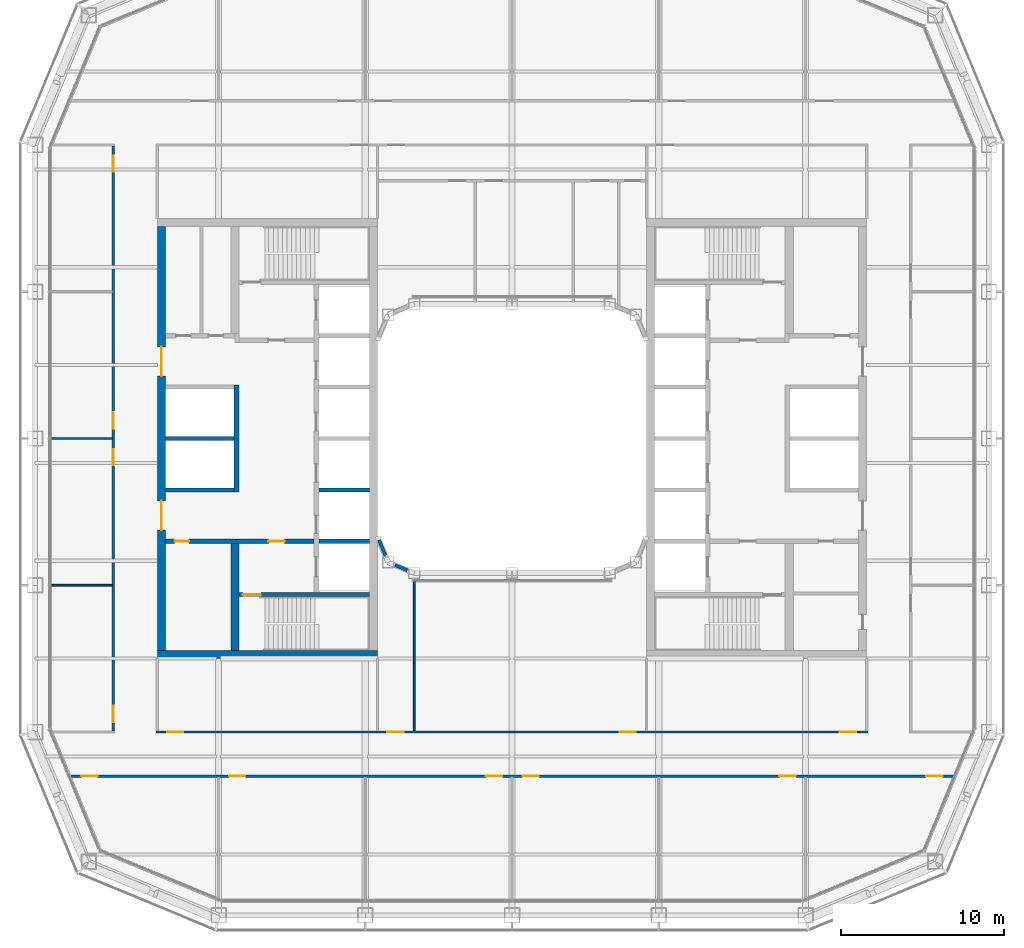
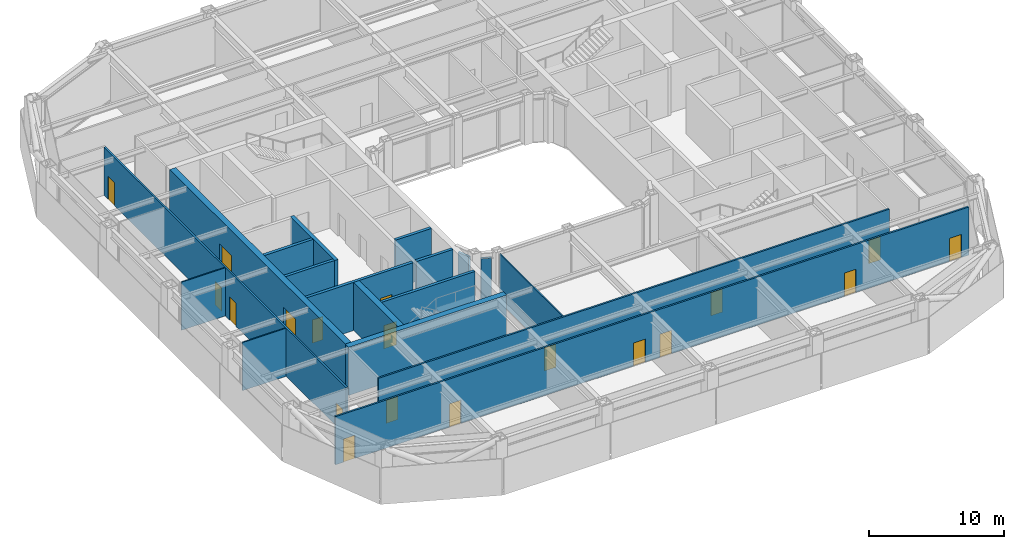
# One storey, part 11 of 21: 19 doors, 18 walls, 19 openings.
"""IFC4 building model written with IfcOpenShell, lengths in metres."""

from ifc_helpers import new_model, si_unit, direction, frame, frame_2d, origin, place, context, subcontext, project, spatial, rectangle, extrude, material, layer, layer_set, type_object, element, fill, save


model = new_model("IFC4")

# Units and contexts
model_context = context("Model", 3, precision=1e-05, world=origin(), true_north=direction((0.0, 1.0)))
body_context = subcontext(model_context, "Body", "Model", "MODEL_VIEW")
ifc_project = project(units=[si_unit("LENGTHUNIT", "METRE"), si_unit("AREAUNIT", "SQUARE_METRE"), si_unit("VOLUMEUNIT", "CUBIC_METRE"), si_unit("PLANEANGLEUNIT", "RADIAN"), si_unit("MASSUNIT", "GRAM", prefix="KILO")], contexts=[model_context])

# Site, building, storey
site_placement = place(None, origin())
site = spatial("IfcSite", under=ifc_project, at=site_placement, CompositionType="ELEMENT")
building_placement = place(site_placement, origin())
building = spatial("IfcBuilding", under=site, at=building_placement, Name="Siwar Civic Tower", CompositionType="ELEMENT")
storey_placement = place(building_placement, frame((0.0, 0.0, 122.699951171875)))
storey = spatial("IfcBuildingStorey", under=building, at=storey_placement, Name="L26", CompositionType="ELEMENT", Elevation=122.699951171875)

# Wall, openings, doors
ifc_material_1 = material(Name="Concrete C60/75", Category="concrete")
ifc_layer_1 = layer(ifc_material_1, 0.25)
ifc_layer_set_1 = layer_set([ifc_layer_1], Name="Concrete C60/75")
wall_type_1 = type_object("IfcWallType", Name="CORE-WALL-RC250", PredefinedType="SHEAR", material=ifc_layer_set_1)
wall_1_placement = place(storey_placement, frame((-12.14990234375, -6.300048828125, 0.0), z_axis=(0.0, 0.0, 1.0), x_axis=(-1.0, 0.0, 0.0)))
wall_1 = element("IfcWall", 1, at=wall_1_placement, inside=storey, type_object=wall_type_1, Name="Core wall W", PredefinedType="SHEAR", context=body_context, shape_type="SweptSolid", body=[
    extrude(rectangle(XDim=9.10009765625, YDim=0.25, at=frame_2d((4.550048828125, 0.0))), origin(), (0.0, 0.0, 1.0), 4.35009765625),
])
opening_1_placement = place(wall_1_placement, frame((1.800048828125, 0.0, 0.0)))
opening_1 = element("IfcOpeningElement", 2, at=opening_1_placement, cuts=wall_1, Name="Opening L26-CW02", PredefinedType="OPENING", context=body_context, shape_type="SweptSolid", body=[
    extrude(rectangle(XDim=1.0, YDim=2.10009765625, at=frame_2d((0.5, 1.050048828125))), frame((0.0, 0.135009765625, 0.0), z_axis=(0.0, -1.0, 0.0), x_axis=(1.0, 0.0, 0.0)), (0.0, 0.0, 1.0), 0.27001953125),
])
opening_2_placement = place(wall_1_placement, frame((7.64990234375, 0.0, 0.0)))
opening_2 = element("IfcOpeningElement", 3, at=opening_2_placement, cuts=wall_1, Name="Opening L26-CW15", PredefinedType="OPENING", context=body_context, shape_type="SweptSolid", body=[
    extrude(rectangle(XDim=0.89990234375, YDim=2.10009765625, at=frame_2d((0.449951171875, 1.050048828125))), frame((0.0, 0.135009765625, 0.0), z_axis=(0.0, -1.0, 0.0), x_axis=(1.0, 0.0, 0.0)), (0.0, 0.0, 1.0), 0.27001953125),
])
ifc_material_2 = material(Name="Steel door leaf", Category="steel")
door_type_1 = type_object("IfcDoorType", Name="CORE-DOOR-FD30S", OperationType="SINGLE_SWING_LEFT", PredefinedType="DOOR", material=ifc_material_2)
door_1_placement = place(opening_1_placement, origin())
door_1 = element("IfcDoor", 4, at=door_1_placement, inside=storey, type_object=door_type_1, Name="Service lobby door L26-CW02", OperationType="SINGLE_SWING_RIGHT", OverallHeight=2.10009765625, OverallWidth=1.0, PredefinedType="DOOR", context=body_context, shape_type="SweptSolid", body=[
    extrude(rectangle(XDim=1.0, YDim=2.10009765625, at=frame_2d((0.5, 1.050048828125))), frame((0.0, 0.02490234375, 0.0), z_axis=(0.0, -1.0, 0.0), x_axis=(1.0, 0.0, 0.0)), (0.0, 0.0, 1.0), 0.050048828125),
])
fill(opening_1, door_1)
ifc_material_3 = material(Name="Steel door leaf", Category="steel")
door_type_2 = type_object("IfcDoorType", Name="CORE-DOOR-ROOM", OperationType="SINGLE_SWING_LEFT", PredefinedType="DOOR", material=ifc_material_3)
door_2_placement = place(opening_2_placement, origin())
door_2 = element("IfcDoor", 5, at=door_2_placement, inside=storey, type_object=door_type_2, Name="Core room door L26-CW15", OperationType="SINGLE_SWING_LEFT", OverallHeight=2.10009765625, OverallWidth=0.89990234375, PredefinedType="DOOR", context=body_context, shape_type="SweptSolid", body=[
    extrude(rectangle(XDim=0.89990234375, YDim=2.10009765625, at=frame_2d((0.449951171875, 1.050048828125))), frame((0.0, 0.02490234375, 0.0), z_axis=(0.0, -1.0, 0.0), x_axis=(1.0, 0.0, 0.0)), (0.0, 0.0, 1.0), 0.050048828125),
])
fill(opening_2, door_2)

# Walls
for number, where, z_axis, x_axis, name in (
    (6, (-17.050048828125, 0.0, 0.0), (0.0, 0.0, 1.0), (-1.0, 0.0, 0.0), "Core wall W"),
    (7, (-17.050048828125, -3.14990234375, 0.0), (0.0, 0.0, 1.0), (-1.0, 0.0, 0.0), "Core wall W"),
):
    element("IfcWall", number, at=place(storey_placement, frame(where, z_axis=z_axis, x_axis=x_axis)), inside=storey, type_object=wall_type_1, Name=name, PredefinedType="SHEAR", context=body_context, shape_type="SweptSolid", body=[
        extrude(rectangle(XDim=4.199951171875, YDim=0.25, at=frame_2d((2.10009765625, 0.0))), origin(), (0.0, 0.0, 1.0), 4.35009765625),
    ])
for number, where, z_axis, x_axis, name in (
    (8, (-8.75, -3.14990234375, 0.0), (0.0, 0.0, 1.0), (-1.0, 0.0, 0.0), "Core wall W"),
    (9, (-8.75, -6.300048828125, 0.0), (0.0, 0.0, 1.0), (-1.0, 0.0, 0.0), "Core wall W"),
):
    element("IfcWall", number, at=place(storey_placement, frame(where, z_axis=z_axis, x_axis=x_axis)), inside=storey, type_object=wall_type_1, Name=name, PredefinedType="SHEAR", context=body_context, shape_type="SweptSolid", body=[
        extrude(rectangle(XDim=3.10009765625, YDim=0.25, at=frame_2d((1.550048828125, 0.0))), origin(), (0.0, 0.0, 1.0), 4.35009765625),
    ])

# Wall, opening, door
wall_2_placement = place(storey_placement, frame((-8.75, -9.574951171875, 0.0), z_axis=(0.0, 0.0, 1.0), x_axis=(-1.0, 0.0, 0.0)))
wall_2 = element("IfcWall", 10, at=wall_2_placement, inside=storey, type_object=wall_type_1, Name="Core wall W", PredefinedType="SHEAR", context=body_context, shape_type="SweptSolid", body=[
    extrude(rectangle(XDim=8.0, YDim=0.25, at=frame_2d((4.0, 0.0))), origin(), (0.0, 0.0, 1.0), 4.35009765625),
])
opening_3_placement = place(wall_2_placement, frame((6.64990234375, 0.0, 0.0)))
opening_3 = element("IfcOpeningElement", 11, at=opening_3_placement, cuts=wall_2, Name="Opening L26-CW04", PredefinedType="OPENING", context=body_context, shape_type="SweptSolid", body=[
    extrude(rectangle(XDim=1.10009765625, YDim=2.10009765625, at=frame_2d((0.550048828125, 1.050048828125))), frame((0.0, 0.135009765625, 0.0), z_axis=(0.0, -1.0, 0.0), x_axis=(1.0, 0.0, 0.0)), (0.0, 0.0, 1.0), 0.27001953125),
])
ifc_material_4 = material(Name="Steel door leaf", Category="steel")
door_type_3 = type_object("IfcDoorType", Name="CORE-DOOR-FD60S", OperationType="SINGLE_SWING_LEFT", PredefinedType="DOOR", material=ifc_material_4)
door_3_placement = place(opening_3_placement, origin())
door_3 = element("IfcDoor", 12, at=door_3_placement, inside=storey, type_object=door_type_3, Name="Stair door L26-CW04", OperationType="SINGLE_SWING_LEFT", OverallHeight=2.10009765625, OverallWidth=1.10009765625, PredefinedType="DOOR", context=body_context, shape_type="SweptSolid", body=[
    extrude(rectangle(XDim=1.10009765625, YDim=2.10009765625, at=frame_2d((0.550048828125, 1.050048828125))), frame((0.0, 0.02490234375, 0.0), z_axis=(0.0, -1.0, 0.0), x_axis=(1.0, 0.0, 0.0)), (0.0, 0.0, 1.0), 0.050048828125),
])
fill(opening_3, door_3)

# Wall
ifc_material_5 = material(Name="Concrete C60/75", Category="concrete")
ifc_layer_2 = layer(ifc_material_5, 0.300048828125)
ifc_layer_set_2 = layer_set([ifc_layer_2], Name="Concrete C60/75")
wall_type_2 = type_object("IfcWallType", Name="CORE-WALL-RC300", PredefinedType="SHEAR", material=ifc_layer_set_2)
wall_3_placement = place(storey_placement, frame((-16.89990234375, -3.27490234375, 0.0), z_axis=(0.0, 0.0, 1.0), x_axis=(0.0, 1.0, 0.0)))
element("IfcWall", 13, at=wall_3_placement, inside=storey, type_object=wall_type_2, Name="Core wall W", PredefinedType="SHEAR", context=body_context, shape_type="SweptSolid", body=[
    extrude(rectangle(XDim=6.5498046875, YDim=0.300048828125, at=frame_2d((3.27490234375, 0.0))), origin(), (0.0, 0.0, 1.0), 4.35009765625),
])

# Wall, openings, doors
ifc_material_6 = material(Name="Concrete C60/75", Category="concrete")
ifc_layer_3 = layer(ifc_material_6, 0.5)
ifc_layer_set_3 = layer_set([ifc_layer_3], Name="Concrete C60/75")
wall_type_3 = type_object("IfcWallType", Name="CORE-WALL-RC500", PredefinedType="SHEAR", material=ifc_layer_set_3)
wall_4_placement = place(storey_placement, frame((-21.5, -13.0, 0.0), z_axis=(0.0, 0.0, 1.0), x_axis=(0.0, 1.0, 0.0)))
wall_4 = element("IfcWall", 14, at=wall_4_placement, inside=storey, type_object=wall_type_3, Name="Core wall W", PredefinedType="SHEAR", context=body_context, shape_type="SweptSolid", body=[
    extrude(rectangle(XDim=26.0, YDim=0.5, at=frame_2d((13.0, 0.0))), origin(), (0.0, 0.0, 1.0), 4.35009765625),
])
opening_4_placement = place(wall_4_placement, frame((16.824951171875, 0.0, 0.0)))
opening_4 = element("IfcOpeningElement", 15, at=opening_4_placement, cuts=wall_4, Name="Opening L26-CW05", PredefinedType="OPENING", context=body_context, shape_type="SweptSolid", body=[
    extrude(rectangle(XDim=1.800048828125, YDim=2.10009765625, at=frame_2d((0.89990234375, 1.050048828125))), frame((0.0, 0.260009765625, 0.0), z_axis=(0.0, -1.0, 0.0), x_axis=(1.0, 0.0, 0.0)), (0.0, 0.0, 1.0), 0.52001953125),
])
opening_5_placement = place(wall_4_placement, frame((7.375, 0.0, 0.0)))
opening_5 = element("IfcOpeningElement", 16, at=opening_5_placement, cuts=wall_4, Name="Opening L26-CW06", PredefinedType="OPENING", context=body_context, shape_type="SweptSolid", body=[
    extrude(rectangle(XDim=1.800048828125, YDim=2.10009765625, at=frame_2d((0.89990234375, 1.050048828125))), frame((0.0, 0.260009765625, 0.0), z_axis=(0.0, -1.0, 0.0), x_axis=(1.0, 0.0, 0.0)), (0.0, 0.0, 1.0), 0.52001953125),
])
ifc_material_7 = material(Name="Steel door leaf", Category="steel")
door_type_4 = type_object("IfcDoorType", Name="CORE-DOOR-PORT", OperationType="DOUBLE_DOOR_DOUBLE_SWING", PredefinedType="DOOR", material=ifc_material_7)
door_4_placement = place(opening_4_placement, origin())
door_4 = element("IfcDoor", 17, at=door_4_placement, inside=storey, type_object=door_type_4, Name="Core entrance door L26-CW05", OperationType="DOUBLE_DOOR_DOUBLE_SWING", OverallHeight=2.10009765625, OverallWidth=1.800048828125, PredefinedType="DOOR", context=body_context, shape_type="SweptSolid", body=[
    extrude(rectangle(XDim=1.800048828125, YDim=2.10009765625, at=frame_2d((0.89990234375, 1.050048828125))), frame((0.0, 0.02490234375, 0.0), z_axis=(0.0, -1.0, 0.0), x_axis=(1.0, 0.0, 0.0)), (0.0, 0.0, 1.0), 0.050048828125),
])
fill(opening_4, door_4)
door_5_placement = place(opening_5_placement, origin())
door_5 = element("IfcDoor", 18, at=door_5_placement, inside=storey, type_object=door_type_4, Name="Core entrance door L26-CW06", OperationType="DOUBLE_DOOR_DOUBLE_SWING", OverallHeight=2.10009765625, OverallWidth=1.800048828125, PredefinedType="DOOR", context=body_context, shape_type="SweptSolid", body=[
    extrude(rectangle(XDim=1.800048828125, YDim=2.10009765625, at=frame_2d((0.89990234375, 1.050048828125))), frame((0.0, 0.02490234375, 0.0), z_axis=(0.0, -1.0, 0.0), x_axis=(1.0, 0.0, 0.0)), (0.0, 0.0, 1.0), 0.050048828125),
])
fill(opening_5, door_5)

# Walls
wall_5_placement = place(storey_placement, frame((-17.0, -13.0, 0.0), z_axis=(0.0, 0.0, 1.0), x_axis=(0.0, 1.0, 0.0)))
element("IfcWall", 19, at=wall_5_placement, inside=storey, type_object=wall_type_3, Name="Core wall W", PredefinedType="SHEAR", context=body_context, shape_type="SweptSolid", body=[
    extrude(rectangle(XDim=6.574951171875, YDim=0.5, at=frame_2d((3.28759765625, 0.0))), origin(), (0.0, 0.0, 1.0), 4.35009765625),
])
wall_6_placement = place(storey_placement, frame((-8.25, -13.25, 0.0), z_axis=(0.0, 0.0, 1.0), x_axis=(-1.0, 0.0, 0.0)))
element("IfcWall", 20, at=wall_6_placement, inside=storey, type_object=wall_type_3, Name="Core wall W", PredefinedType="SHEAR", context=body_context, shape_type="SweptSolid", body=[
    extrude(rectangle(XDim=13.5, YDim=0.5, at=frame_2d((6.75, 0.0))), origin(), (0.0, 0.0, 1.0), 4.35009765625),
])

# Wall, openings, doors
ifc_material_8 = material(Name="Gypsum board on steel studs", Category="steel")
ifc_layer_4 = layer(ifc_material_8, 0.14990234375)
ifc_layer_set_4 = layer_set([ifc_layer_4], Name="Gypsum board on steel studs")
wall_type_4 = type_object("IfcWallType", Name="CORRIDOR PARTITION 150 EI 30", PredefinedType="PARTITIONING", material=ifc_layer_set_4)
wall_7_placement = place(storey_placement, frame((-27.06005859375, -20.699951171875, 0.0), z_axis=(0.0, 0.0, 1.0), x_axis=(1.0, 0.0, 0.0)))
wall_7 = element("IfcWall", 21, at=wall_7_placement, inside=storey, type_object=wall_type_4, Name="L26/wall/P01", PredefinedType="PARTITIONING", context=body_context, shape_type="SweptSolid", body=[
    extrude(rectangle(XDim=54.1201171875, YDim=0.14990234375, at=frame_2d((27.06005859375, 0.0))), origin(), (0.0, 0.0, 1.0), 4.35009765625),
])
opening_6_placement = place(wall_7_placement, frame((9.7099609375, 0.0, 0.0)))
opening_6 = element("IfcOpeningElement", 22, at=opening_6_placement, cuts=wall_7, Name="Opening D1", PredefinedType="OPENING", context=body_context, shape_type="SweptSolid", body=[
    extrude(rectangle(XDim=1.0, YDim=2.10009765625, at=frame_2d((0.5, 1.050048828125))), frame((0.0, 0.0849609375, 0.0), z_axis=(0.0, -1.0, 0.0), x_axis=(1.0, 0.0, 0.0)), (0.0, 0.0, 1.0), 0.169921875),
])
opening_7_placement = place(wall_7_placement, frame((25.4599609375, 0.0, 0.0)))
opening_7 = element("IfcOpeningElement", 23, at=opening_7_placement, cuts=wall_7, Name="Opening D1", PredefinedType="OPENING", context=body_context, shape_type="SweptSolid", body=[
    extrude(rectangle(XDim=1.0, YDim=2.10009765625, at=frame_2d((0.5, 1.050048828125))), frame((0.0, 0.0849609375, 0.0), z_axis=(0.0, -1.0, 0.0), x_axis=(1.0, 0.0, 0.0)), (0.0, 0.0, 1.0), 0.169921875),
])
opening_8_placement = place(wall_7_placement, frame((27.7099609375, 0.0, 0.0)))
opening_8 = element("IfcOpeningElement", 24, at=opening_8_placement, cuts=wall_7, Name="Opening D1", PredefinedType="OPENING", context=body_context, shape_type="SweptSolid", body=[
    extrude(rectangle(XDim=1.0, YDim=2.10009765625, at=frame_2d((0.5, 1.050048828125))), frame((0.0, 0.0849609375, 0.0), z_axis=(0.0, -1.0, 0.0), x_axis=(1.0, 0.0, 0.0)), (0.0, 0.0, 1.0), 0.169921875),
])
opening_9_placement = place(wall_7_placement, frame((43.4599609375, 0.0, 0.0)))
opening_9 = element("IfcOpeningElement", 25, at=opening_9_placement, cuts=wall_7, Name="Opening D1", PredefinedType="OPENING", context=body_context, shape_type="SweptSolid", body=[
    extrude(rectangle(XDim=1.0, YDim=2.10009765625, at=frame_2d((0.5, 1.050048828125))), frame((0.0, 0.0849609375, 0.0), z_axis=(0.0, -1.0, 0.0), x_axis=(1.0, 0.0, 0.0)), (0.0, 0.0, 1.0), 0.169921875),
])
opening_10_placement = place(wall_7_placement, frame((0.64990234375, 0.0, 0.0)))
opening_10 = element("IfcOpeningElement", 26, at=opening_10_placement, cuts=wall_7, Name="Opening D1", PredefinedType="OPENING", context=body_context, shape_type="SweptSolid", body=[
    extrude(rectangle(XDim=1.0, YDim=2.10009765625, at=frame_2d((0.5, 1.050048828125))), frame((0.0, 0.0849609375, 0.0), z_axis=(0.0, -1.0, 0.0), x_axis=(1.0, 0.0, 0.0)), (0.0, 0.0, 1.0), 0.169921875),
])
opening_11_placement = place(wall_7_placement, frame((52.4599609375, 0.0, 0.0)))
opening_11 = element("IfcOpeningElement", 27, at=opening_11_placement, cuts=wall_7, Name="Opening D1", PredefinedType="OPENING", context=body_context, shape_type="SweptSolid", body=[
    extrude(rectangle(XDim=1.0, YDim=2.10009765625, at=frame_2d((0.5, 1.050048828125))), frame((0.0, 0.0849609375, 0.0), z_axis=(0.0, -1.0, 0.0), x_axis=(1.0, 0.0, 0.0)), (0.0, 0.0, 1.0), 0.169921875),
])
ifc_material_9 = material(Name="Timber, painted", Category="wood")
door_type_5 = type_object("IfcDoorType", Name="DOOR 1000 X 2100 FD30", OperationType="SINGLE_SWING_LEFT", PredefinedType="DOOR", material=ifc_material_9)
door_6_placement = place(opening_6_placement, origin())
door_6 = element("IfcDoor", 28, at=door_6_placement, inside=storey, type_object=door_type_5, Name="L26-D05", OperationType="SINGLE_SWING_LEFT", OverallHeight=2.10009765625, OverallWidth=1.0, PredefinedType="DOOR", context=body_context, shape_type="SweptSolid", body=[
    extrude(rectangle(XDim=1.0, YDim=2.10009765625, at=frame_2d((0.5, 1.050048828125))), frame((0.0, 0.02490234375, 0.0), z_axis=(0.0, -1.0, 0.0), x_axis=(1.0, 0.0, 0.0)), (0.0, 0.0, 1.0), 0.050048828125),
])
fill(opening_6, door_6)
door_7_placement = place(opening_7_placement, origin())
door_7 = element("IfcDoor", 29, at=door_7_placement, inside=storey, type_object=door_type_5, Name="L26-D06", OperationType="SINGLE_SWING_RIGHT", OverallHeight=2.10009765625, OverallWidth=1.0, PredefinedType="DOOR", context=body_context, shape_type="SweptSolid", body=[
    extrude(rectangle(XDim=1.0, YDim=2.10009765625, at=frame_2d((0.5, 1.050048828125))), frame((0.0, 0.02490234375, 0.0), z_axis=(0.0, -1.0, 0.0), x_axis=(1.0, 0.0, 0.0)), (0.0, 0.0, 1.0), 0.050048828125),
])
fill(opening_7, door_7)
door_8_placement = place(opening_8_placement, origin())
door_8 = element("IfcDoor", 30, at=door_8_placement, inside=storey, type_object=door_type_5, Name="L26-D07", OperationType="SINGLE_SWING_LEFT", OverallHeight=2.10009765625, OverallWidth=1.0, PredefinedType="DOOR", context=body_context, shape_type="SweptSolid", body=[
    extrude(rectangle(XDim=1.0, YDim=2.10009765625, at=frame_2d((0.5, 1.050048828125))), frame((0.0, 0.02490234375, 0.0), z_axis=(0.0, -1.0, 0.0), x_axis=(1.0, 0.0, 0.0)), (0.0, 0.0, 1.0), 0.050048828125),
])
fill(opening_8, door_8)
door_9_placement = place(opening_9_placement, origin())
door_9 = element("IfcDoor", 31, at=door_9_placement, inside=storey, type_object=door_type_5, Name="L26-D08", OperationType="SINGLE_SWING_RIGHT", OverallHeight=2.10009765625, OverallWidth=1.0, PredefinedType="DOOR", context=body_context, shape_type="SweptSolid", body=[
    extrude(rectangle(XDim=1.0, YDim=2.10009765625, at=frame_2d((0.5, 1.050048828125))), frame((0.0, 0.02490234375, 0.0), z_axis=(0.0, -1.0, 0.0), x_axis=(1.0, 0.0, 0.0)), (0.0, 0.0, 1.0), 0.050048828125),
])
fill(opening_9, door_9)
door_10_placement = place(opening_10_placement, origin())
door_10 = element("IfcDoor", 32, at=door_10_placement, inside=storey, type_object=door_type_5, Name="L26-D11", OperationType="SINGLE_SWING_LEFT", OverallHeight=2.10009765625, OverallWidth=1.0, PredefinedType="DOOR", context=body_context, shape_type="SweptSolid", body=[
    extrude(rectangle(XDim=1.0, YDim=2.10009765625, at=frame_2d((0.5, 1.050048828125))), frame((0.0, 0.02490234375, 0.0), z_axis=(0.0, -1.0, 0.0), x_axis=(1.0, 0.0, 0.0)), (0.0, 0.0, 1.0), 0.050048828125),
])
fill(opening_10, door_10)
door_11_placement = place(opening_11_placement, origin())
door_11 = element("IfcDoor", 33, at=door_11_placement, inside=storey, type_object=door_type_5, Name="L26-D12", OperationType="SINGLE_SWING_RIGHT", OverallHeight=2.10009765625, OverallWidth=1.0, PredefinedType="DOOR", context=body_context, shape_type="SweptSolid", body=[
    extrude(rectangle(XDim=1.0, YDim=2.10009765625, at=frame_2d((0.5, 1.050048828125))), frame((0.0, 0.02490234375, 0.0), z_axis=(0.0, -1.0, 0.0), x_axis=(1.0, 0.0, 0.0)), (0.0, 0.0, 1.0), 0.050048828125),
])
fill(opening_11, door_11)

wall_8_placement = place(storey_placement, frame((-21.824951171875, -18.0, 0.0), z_axis=(0.0, 0.0, 1.0), x_axis=(1.0, 0.0, 0.0)))
wall_8 = element("IfcWall", 34, at=wall_8_placement, inside=storey, type_object=wall_type_4, Name="L26/wall/P03", PredefinedType="PARTITIONING", context=body_context, shape_type="SweptSolid", body=[
    extrude(rectangle(XDim=43.64990234375, YDim=0.14990234375, at=frame_2d((21.824951171875, 0.0))), origin(), (0.0, 0.0, 1.0), 4.35009765625),
])
opening_12_placement = place(wall_8_placement, frame((14.175048828125, 0.0, 0.0)))
opening_12 = element("IfcOpeningElement", 35, at=opening_12_placement, cuts=wall_8, Name="Opening D3", PredefinedType="OPENING", context=body_context, shape_type="SweptSolid", body=[
    extrude(rectangle(XDim=1.0, YDim=2.10009765625, at=frame_2d((0.5, 1.050048828125))), frame((0.0, 0.0849609375, 0.0), z_axis=(0.0, -1.0, 0.0), x_axis=(1.0, 0.0, 0.0)), (0.0, 0.0, 1.0), 0.169921875),
])
opening_13_placement = place(wall_8_placement, frame((28.425048828125, 0.0, 0.0)))
opening_13 = element("IfcOpeningElement", 36, at=opening_13_placement, cuts=wall_8, Name="Opening D1", PredefinedType="OPENING", context=body_context, shape_type="SweptSolid", body=[
    extrude(rectangle(XDim=1.0, YDim=2.10009765625, at=frame_2d((0.5, 1.050048828125))), frame((0.0, 0.0849609375, 0.0), z_axis=(0.0, -1.0, 0.0), x_axis=(1.0, 0.0, 0.0)), (0.0, 0.0, 1.0), 0.169921875),
])
opening_14_placement = place(wall_8_placement, frame((0.675048828125, 0.0, 0.0)))
opening_14 = element("IfcOpeningElement", 37, at=opening_14_placement, cuts=wall_8, Name="Opening D1", PredefinedType="OPENING", context=body_context, shape_type="SweptSolid", body=[
    extrude(rectangle(XDim=1.0, YDim=2.10009765625, at=frame_2d((0.5, 1.050048828125))), frame((0.0, 0.0849609375, 0.0), z_axis=(0.0, -1.0, 0.0), x_axis=(1.0, 0.0, 0.0)), (0.0, 0.0, 1.0), 0.169921875),
])
opening_15_placement = place(wall_8_placement, frame((41.925048828125, 0.0, 0.0)))
opening_15 = element("IfcOpeningElement", 38, at=opening_15_placement, cuts=wall_8, Name="Opening D1", PredefinedType="OPENING", context=body_context, shape_type="SweptSolid", body=[
    extrude(rectangle(XDim=1.0, YDim=2.10009765625, at=frame_2d((0.5, 1.050048828125))), frame((0.0, 0.0849609375, 0.0), z_axis=(0.0, -1.0, 0.0), x_axis=(1.0, 0.0, 0.0)), (0.0, 0.0, 1.0), 0.169921875),
])
door_12_placement = place(opening_13_placement, origin())
door_12 = element("IfcDoor", 39, at=door_12_placement, inside=storey, type_object=door_type_5, Name="L26-D19", OperationType="SINGLE_SWING_LEFT", OverallHeight=2.10009765625, OverallWidth=1.0, PredefinedType="DOOR", context=body_context, shape_type="SweptSolid", body=[
    extrude(rectangle(XDim=1.0, YDim=2.10009765625, at=frame_2d((0.5, 1.050048828125))), frame((0.0, 0.02490234375, 0.0), z_axis=(0.0, -1.0, 0.0), x_axis=(1.0, 0.0, 0.0)), (0.0, 0.0, 1.0), 0.050048828125),
])
fill(opening_13, door_12)
door_13_placement = place(opening_14_placement, origin())
door_13 = element("IfcDoor", 40, at=door_13_placement, inside=storey, type_object=door_type_5, Name="L26-D22", OperationType="SINGLE_SWING_RIGHT", OverallHeight=2.10009765625, OverallWidth=1.0, PredefinedType="DOOR", context=body_context, shape_type="SweptSolid", body=[
    extrude(rectangle(XDim=1.0, YDim=2.10009765625, at=frame_2d((0.5, 1.050048828125))), frame((0.0, 0.02490234375, 0.0), z_axis=(0.0, -1.0, 0.0), x_axis=(1.0, 0.0, 0.0)), (0.0, 0.0, 1.0), 0.050048828125),
])
fill(opening_14, door_13)
door_14_placement = place(opening_15_placement, origin())
door_14 = element("IfcDoor", 41, at=door_14_placement, inside=storey, type_object=door_type_5, Name="L26-D23", OperationType="SINGLE_SWING_LEFT", OverallHeight=2.10009765625, OverallWidth=1.0, PredefinedType="DOOR", context=body_context, shape_type="SweptSolid", body=[
    extrude(rectangle(XDim=1.0, YDim=2.10009765625, at=frame_2d((0.5, 1.050048828125))), frame((0.0, 0.02490234375, 0.0), z_axis=(0.0, -1.0, 0.0), x_axis=(1.0, 0.0, 0.0)), (0.0, 0.0, 1.0), 0.050048828125),
])
fill(opening_15, door_14)
ifc_material_10 = material(Name="Timber, painted", Category="wood")
door_type_6 = type_object("IfcDoorType", Name="DOOR 1000 X 2100 WC", OperationType="SINGLE_SWING_LEFT", PredefinedType="DOOR", material=ifc_material_10)
door_15_placement = place(opening_12_placement, origin())
door_15 = element("IfcDoor", 42, at=door_15_placement, inside=storey, type_object=door_type_6, Name="L26-D18", OperationType="SINGLE_SWING_RIGHT", OverallHeight=2.10009765625, OverallWidth=1.0, PredefinedType="DOOR", context=body_context, shape_type="SweptSolid", body=[
    extrude(rectangle(XDim=1.0, YDim=2.10009765625, at=frame_2d((0.5, 1.050048828125))), frame((0.0, 0.02490234375, 0.0), z_axis=(0.0, -1.0, 0.0), x_axis=(1.0, 0.0, 0.0)), (0.0, 0.0, 1.0), 0.050048828125),
])
fill(opening_12, door_15)

wall_9_placement = place(storey_placement, frame((-24.449951171875, -17.925048828125, 0.0), z_axis=(0.0, 0.0, 1.0), x_axis=(0.0, 1.0, 0.0)))
wall_9 = element("IfcWall", 43, at=wall_9_placement, inside=storey, type_object=wall_type_4, Name="L26/wall/P17", PredefinedType="PARTITIONING", context=body_context, shape_type="SweptSolid", body=[
    extrude(rectangle(XDim=35.85009765625, YDim=0.14990234375, at=frame_2d((17.925048828125, 0.0))), origin(), (0.0, 0.0, 1.0), 4.35009765625),
])
opening_16_placement = place(wall_9_placement, frame((0.52490234375, 0.0, 0.0)))
opening_16 = element("IfcOpeningElement", 44, at=opening_16_placement, cuts=wall_9, Name="Opening D1", PredefinedType="OPENING", context=body_context, shape_type="SweptSolid", body=[
    extrude(rectangle(XDim=1.0, YDim=2.10009765625, at=frame_2d((0.5, 1.050048828125))), frame((0.0, 0.0849609375, 0.0), z_axis=(0.0, -1.0, 0.0), x_axis=(1.0, 0.0, 0.0)), (0.0, 0.0, 1.0), 0.169921875),
])
opening_17_placement = place(wall_9_placement, frame((16.27490234375, 0.0, 0.0)))
opening_17 = element("IfcOpeningElement", 45, at=opening_17_placement, cuts=wall_9, Name="Opening D1", PredefinedType="OPENING", context=body_context, shape_type="SweptSolid", body=[
    extrude(rectangle(XDim=1.0, YDim=2.10009765625, at=frame_2d((0.5, 1.050048828125))), frame((0.0, 0.0849609375, 0.0), z_axis=(0.0, -1.0, 0.0), x_axis=(1.0, 0.0, 0.0)), (0.0, 0.0, 1.0), 0.169921875),
])
opening_18_placement = place(wall_9_placement, frame((18.52490234375, 0.0, 0.0)))
opening_18 = element("IfcOpeningElement", 46, at=opening_18_placement, cuts=wall_9, Name="Opening D1", PredefinedType="OPENING", context=body_context, shape_type="SweptSolid", body=[
    extrude(rectangle(XDim=1.0, YDim=2.10009765625, at=frame_2d((0.5, 1.050048828125))), frame((0.0, 0.0849609375, 0.0), z_axis=(0.0, -1.0, 0.0), x_axis=(1.0, 0.0, 0.0)), (0.0, 0.0, 1.0), 0.169921875),
])
opening_19_placement = place(wall_9_placement, frame((34.27490234375, 0.0, 0.0)))
opening_19 = element("IfcOpeningElement", 47, at=opening_19_placement, cuts=wall_9, Name="Opening D1", PredefinedType="OPENING", context=body_context, shape_type="SweptSolid", body=[
    extrude(rectangle(XDim=1.0, YDim=2.10009765625, at=frame_2d((0.5, 1.050048828125))), frame((0.0, 0.0849609375, 0.0), z_axis=(0.0, -1.0, 0.0), x_axis=(1.0, 0.0, 0.0)), (0.0, 0.0, 1.0), 0.169921875),
])
door_16_placement = place(opening_16_placement, origin())
door_16 = element("IfcDoor", 48, at=door_16_placement, inside=storey, type_object=door_type_5, Name="L26-D24", OperationType="SINGLE_SWING_RIGHT", OverallHeight=2.10009765625, OverallWidth=1.0, PredefinedType="DOOR", context=body_context, shape_type="SweptSolid", body=[
    extrude(rectangle(XDim=1.0, YDim=2.10009765625, at=frame_2d((0.5, 1.050048828125))), frame((0.0, 0.02490234375, 0.0), z_axis=(0.0, -1.0, 0.0), x_axis=(1.0, 0.0, 0.0)), (0.0, 0.0, 1.0), 0.050048828125),
])
fill(opening_16, door_16)
door_17_placement = place(opening_17_placement, origin())
door_17 = element("IfcDoor", 49, at=door_17_placement, inside=storey, type_object=door_type_5, Name="L26-D25", OperationType="SINGLE_SWING_LEFT", OverallHeight=2.10009765625, OverallWidth=1.0, PredefinedType="DOOR", context=body_context, shape_type="SweptSolid", body=[
    extrude(rectangle(XDim=1.0, YDim=2.10009765625, at=frame_2d((0.5, 1.050048828125))), frame((0.0, 0.02490234375, 0.0), z_axis=(0.0, -1.0, 0.0), x_axis=(1.0, 0.0, 0.0)), (0.0, 0.0, 1.0), 0.050048828125),
])
fill(opening_17, door_17)
door_18_placement = place(opening_18_placement, origin())
door_18 = element("IfcDoor", 50, at=door_18_placement, inside=storey, type_object=door_type_5, Name="L26-D26", OperationType="SINGLE_SWING_RIGHT", OverallHeight=2.10009765625, OverallWidth=1.0, PredefinedType="DOOR", context=body_context, shape_type="SweptSolid", body=[
    extrude(rectangle(XDim=1.0, YDim=2.10009765625, at=frame_2d((0.5, 1.050048828125))), frame((0.0, 0.02490234375, 0.0), z_axis=(0.0, -1.0, 0.0), x_axis=(1.0, 0.0, 0.0)), (0.0, 0.0, 1.0), 0.050048828125),
])
fill(opening_18, door_18)
door_19_placement = place(opening_19_placement, origin())
door_19 = element("IfcDoor", 51, at=door_19_placement, inside=storey, type_object=door_type_5, Name="L26-D27", OperationType="SINGLE_SWING_LEFT", OverallHeight=2.10009765625, OverallWidth=1.0, PredefinedType="DOOR", context=body_context, shape_type="SweptSolid", body=[
    extrude(rectangle(XDim=1.0, YDim=2.10009765625, at=frame_2d((0.5, 1.050048828125))), frame((0.0, 0.02490234375, 0.0), z_axis=(0.0, -1.0, 0.0), x_axis=(1.0, 0.0, 0.0)), (0.0, 0.0, 1.0), 0.050048828125),
])
fill(opening_19, door_19)

# Walls
ifc_material_11 = material(Name="Aluminium clad insulated panel", Category="aluminium")
ifc_layer_5 = layer(ifc_material_11, 0.199951171875)
ifc_layer_set_5 = layer_set([ifc_layer_5], Name="Aluminium clad insulated panel")
wall_type_5 = type_object("IfcWallType", Name="ENV-WALL-WELL", PredefinedType="STANDARD", material=ifc_layer_set_5)
wall_10_placement = place(storey_placement, frame((-8.154296875, -6.23095703125, 0.0), z_axis=(0.0, 0.0, 1.0), x_axis=(0.382769662028, -0.923843810301, 0.0)))
element("IfcWall", 52, at=wall_10_placement, inside=storey, type_object=wall_type_5, Name="Light well corner wall SW1", PredefinedType="STANDARD", context=body_context, shape_type="SweptSolid", body=[
    extrude(rectangle(XDim=1.014892578125, YDim=0.199951171875, at=frame_2d((0.50732421875, 0.0))), origin(), (0.0, 0.0, 1.0), 3.825927734375),
])
wall_11_placement = place(storey_placement, frame((-7.16845703125, -7.765869140625, 0.0), z_axis=(0.0, 0.0, 1.0), x_axis=(0.923817771127, -0.382832503518, 0.0)))
element("IfcWall", 53, at=wall_11_placement, inside=storey, type_object=wall_type_5, Name="Light well corner wall SW2", PredefinedType="STANDARD", context=body_context, shape_type="SweptSolid", body=[
    extrude(rectangle(XDim=0.807373046875, YDim=0.199951171875, at=frame_2d((0.40380859375, 0.0))), origin(), (0.0, 0.0, 1.0), 3.825927734375),
])
ifc_material_12 = material(Name="Gypsum board on steel studs", Category="steel")
ifc_layer_6 = layer(ifc_material_12, 0.10009765625)
ifc_layer_set_6 = layer_set([ifc_layer_6], Name="Gypsum board on steel studs")
wall_type_6 = type_object("IfcWallType", Name="PARTITION 100 GYPSUM", PredefinedType="PARTITIONING", material=ifc_layer_set_6)
for number, where, z_axis, x_axis, name in (
    (54, (-28.260009765625, -9.0, 0.0), (0.0, 0.0, 1.0), (1.0, 0.0, 0.0), "L26/wall/P05"),
    (55, (-28.260009765625, 0.0, 0.0), (0.0, 0.0, 1.0), (1.0, 0.0, 0.0), "L26/wall/P07"),
):
    element("IfcWall", number, at=place(storey_placement, frame(where, z_axis=z_axis, x_axis=x_axis)), inside=storey, type_object=wall_type_6, Name=name, PredefinedType="PARTITIONING", context=body_context, shape_type="SweptSolid", body=[
        extrude(rectangle(XDim=3.735107421875, YDim=0.10009765625, at=frame_2d((1.86767578125, 0.0))), origin(), (0.0, 0.0, 1.0), 4.35009765625),
    ])
wall_12_placement = place(storey_placement, frame((-6.0, -17.925048828125, 0.0), z_axis=(0.0, 0.0, 1.0), x_axis=(0.0, 1.0, 0.0)))
element("IfcWall", 56, at=wall_12_placement, inside=storey, type_object=wall_type_6, Name="L26/wall/P26", PredefinedType="PARTITIONING", context=body_context, shape_type="SweptSolid", body=[
    extrude(rectangle(XDim=9.275146484375, YDim=0.10009765625, at=frame_2d((4.6376953125, 0.0))), origin(), (0.0, 0.0, 1.0), 4.35009765625),
])

save(model, "model.ifc")
